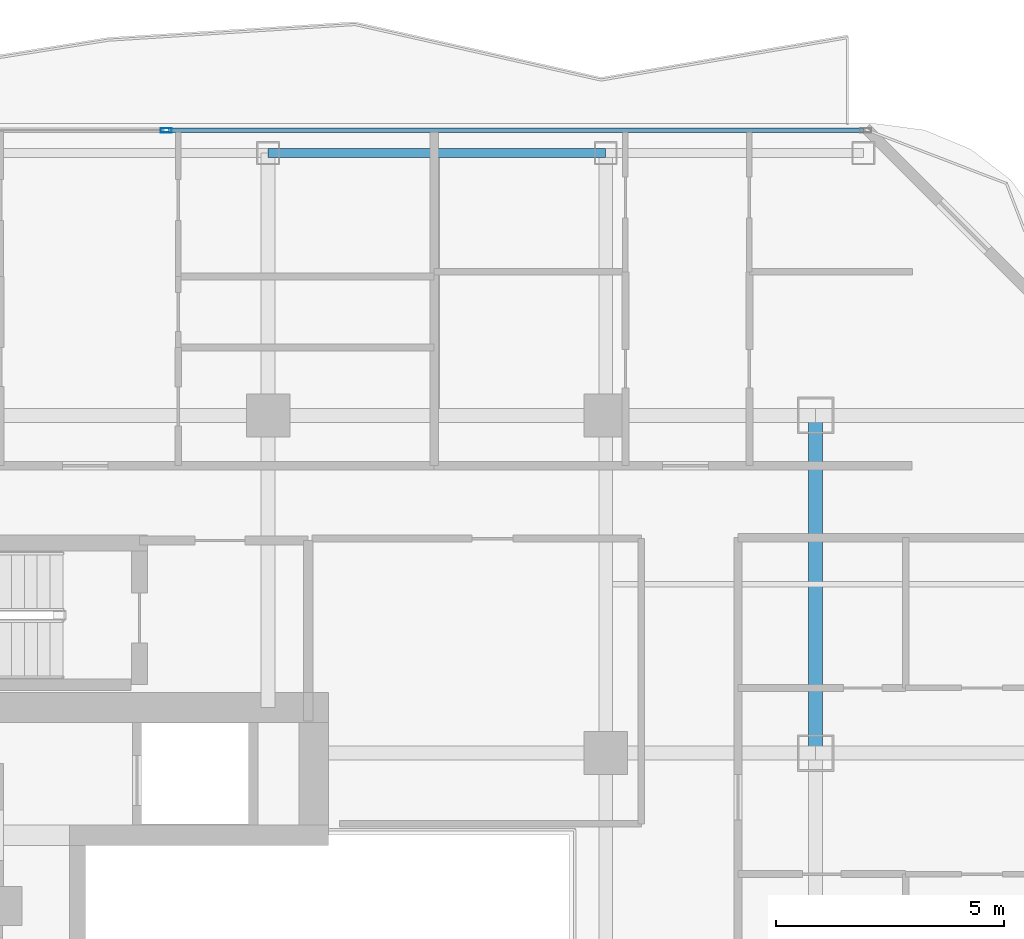
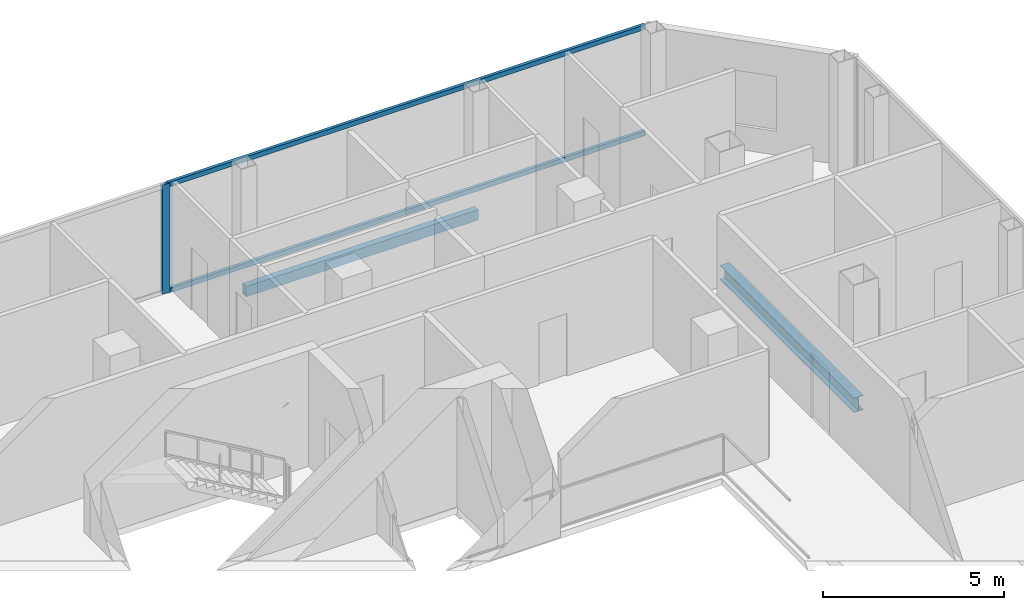
# One storey, part 13 of 23: 3 members, 2 beams, 1 element without a shape of its own.
"""IFC4 building model written with IfcOpenShell, lengths in metres."""

from ifc_helpers import new_model, si_unit, direction, frame, origin, origin_2d, place, context, subcontext, project, spatial, hollow_rectangle, i_section, extrude, material, layer, layer_set, material_profile, profile_set, type_object, element, aggregate, save


model = new_model("IFC4")

# Units and contexts
model_context = context("Model", 3, precision=1e-05, world=origin(), true_north=direction((0.0, 1.0)))
body_context = subcontext(model_context, "Body", "Model", "MODEL_VIEW")
ifc_project = project(units=[si_unit("LENGTHUNIT", "METRE"), si_unit("AREAUNIT", "SQUARE_METRE"), si_unit("VOLUMEUNIT", "CUBIC_METRE"), si_unit("PLANEANGLEUNIT", "RADIAN"), si_unit("MASSUNIT", "GRAM", prefix="KILO")], contexts=[model_context])

# Site, building, storey
site_placement = place(None, origin())
site = spatial("IfcSite", under=ifc_project, at=site_placement, CompositionType="ELEMENT")
building_placement = place(site_placement, origin())
building = spatial("IfcBuilding", under=site, at=building_placement, Name="Khorvyn Point Tower", CompositionType="ELEMENT")
storey_placement = place(building_placement, frame((0.0, 0.0, 258.60009765625)))
storey = spatial("IfcBuildingStorey", under=building, at=storey_placement, Name="L63", CompositionType="ELEMENT", Elevation=258.60009765625)

# Curtain wall, members
ifc_material_1 = material(Name="Anodised aluminium 6063-T6 and laminated Low-E glass", Category="aluminium")
ifc_layer = layer(ifc_material_1, 0.18994140625)
ifc_layer_set = layer_set([ifc_layer], Name="Stick-Built High-Wind Curtain Wall CW-SYS-04")
curtain_wall_type = type_object("IfcCurtainWallType", Name="Stick-Built High-Wind Curtain Wall CW-SYS-04", PredefinedType="NOTDEFINED", material=ifc_layer_set)
curtain_wall_placement = place(storey_placement, origin())
curtain_wall = element("IfcCurtainWall", 1, at=curtain_wall_placement, inside=storey, type_object=curtain_wall_type, Name="Curtain Wall", PredefinedType="NOTDEFINED")
ifc_material_2 = material(Name="Anodised aluminium 6063-T6", Category="aluminium")
ifc_material_profile_1 = material_profile(ifc_material_2, hollow_rectangle(XDim=0.10009765625, YDim=0.239990234375, WallThickness=0.0048828125, at=origin_2d()))
ifc_profile_set_1 = profile_set([ifc_material_profile_1], Name="Anodised aluminium 6063-T6 ALU-MUL-100x240")
member_type_1 = type_object("IfcMemberType", Name="Anodised Aluminium 6063-T6 Mullion ALU-MUL-100x240", PredefinedType="MULLION", material=ifc_profile_set_1)
member_1_placement = place(storey_placement, frame((5.1630859375, 21.050048828125, 0.0), z_axis=(0.0, 0.0, 1.0), x_axis=(0.0, 1.0, 0.0)))
member_1 = element("IfcMember", 2, at=member_1_placement, type_object=member_type_1, Name="Transom", PredefinedType="MULLION", context=body_context, shape_type="SweptSolid", body=[
    extrude(hollow_rectangle(XDim=0.10009765625, YDim=0.239990234375, WallThickness=0.0048828125, at=origin_2d()), origin(), (0.0, 0.0, 1.0), 3.679931640625),
])
ifc_material_profile_2 = material_profile(ifc_material_2, hollow_rectangle(XDim=0.10009765625, YDim=0.159912109375, WallThickness=0.00439453125, at=origin_2d()))
ifc_profile_set_2 = profile_set([ifc_material_profile_2], Name="Anodised aluminium 6063-T6 ALU-TRN-100x160")
member_type_2 = type_object("IfcMemberType", Name="Anodised Aluminium 6063-T6 Transom ALU-TRN-100x160", PredefinedType="USERDEFINED", material=ifc_profile_set_2)
member_2_placement = place(storey_placement, frame((5.212890625, 21.050048828125, 0.0498046875), z_axis=(1.0, 0.0, 0.0), x_axis=(0.0, 1.0, 0.0)))
member_2 = element("IfcMember", 3, at=member_2_placement, type_object=member_type_2, Name="Transom", ObjectType="TRANSOM", PredefinedType="USERDEFINED", context=body_context, shape_type="SweptSolid", body=[
    extrude(hollow_rectangle(XDim=0.10009765625, YDim=0.159912109375, WallThickness=0.00439453125, at=origin_2d()), origin(), (0.0, 0.0, 1.0), 15.237060546875),
])
member_3_placement = place(storey_placement, frame((5.212890625, 21.050048828125, 3.6298828125), z_axis=(1.0, 0.0, 0.0), x_axis=(0.0, 1.0, 0.0)))
member_3 = element("IfcMember", 4, at=member_3_placement, type_object=member_type_2, Name="Transom", ObjectType="TRANSOM", PredefinedType="USERDEFINED", context=body_context, shape_type="SweptSolid", body=[
    extrude(hollow_rectangle(XDim=0.10009765625, YDim=0.159912109375, WallThickness=0.00439453125, at=origin_2d()), origin(), (0.0, 0.0, 1.0), 15.237060546875),
])
aggregate(curtain_wall, [member_1, member_2, member_3])

# Beams
ifc_material_3 = material(Name="Steel S355", Category="steel")
ifc_material_profile_3 = material_profile(ifc_material_3, i_section(OverallWidth=0.300048828125, OverallDepth=0.488037109375, WebThickness=0.010986328125, FlangeThickness=0.01806640625, at=origin_2d()))
ifc_profile_set_3 = profile_set([ifc_material_profile_3], Name="Steel S355 H488x300x11x18")
beam_type_1 = type_object("IfcBeamType", Name="Steel S355 Spandrel H488x300x11x18", PredefinedType="SPANDREL", material=ifc_profile_set_3)
beam_1_placement = place(storey_placement, frame((19.39990234375, 7.39990234375, -0.464111328125), z_axis=(0.0, 1.0, 0.0), x_axis=(-1.0, 0.0, 0.0)))
element("IfcBeam", 5, at=beam_1_placement, inside=storey, type_object=beam_type_1, Name="Beam", PredefinedType="SPANDREL", context=body_context, shape_type="SweptSolid", body=[
    extrude(i_section(OverallWidth=0.300048828125, OverallDepth=0.488037109375, WebThickness=0.010986328125, FlangeThickness=0.01806640625, at=origin_2d()), origin(), (0.0, 0.0, 1.0), 7.400146484375),
])
ifc_material_profile_4 = material_profile(ifc_material_3, hollow_rectangle(XDim=0.199951171875, YDim=0.35009765625, WallThickness=0.013916015625, at=origin_2d()))
ifc_profile_set_4 = profile_set([ifc_material_profile_4], Name="Steel S355 RHS350x200x14")
beam_type_2 = type_object("IfcBeamType", Name="Steel S355 Spandrel RHS350x200x14", PredefinedType="SPANDREL", material=ifc_profile_set_4)
beam_2_placement = place(storey_placement, frame((7.39990234375, 20.550048828125, -0.39501953125), z_axis=(1.0, 0.0, 0.0), x_axis=(0.0, 1.0, 0.0)))
element("IfcBeam", 6, at=beam_2_placement, inside=storey, type_object=beam_type_2, Name="Beam", PredefinedType="SPANDREL", context=body_context, shape_type="SweptSolid", body=[
    extrude(hollow_rectangle(XDim=0.199951171875, YDim=0.35009765625, WallThickness=0.013916015625, at=origin_2d()), origin(), (0.0, 0.0, 1.0), 7.400146484375),
])

save(model, "model.ifc")
